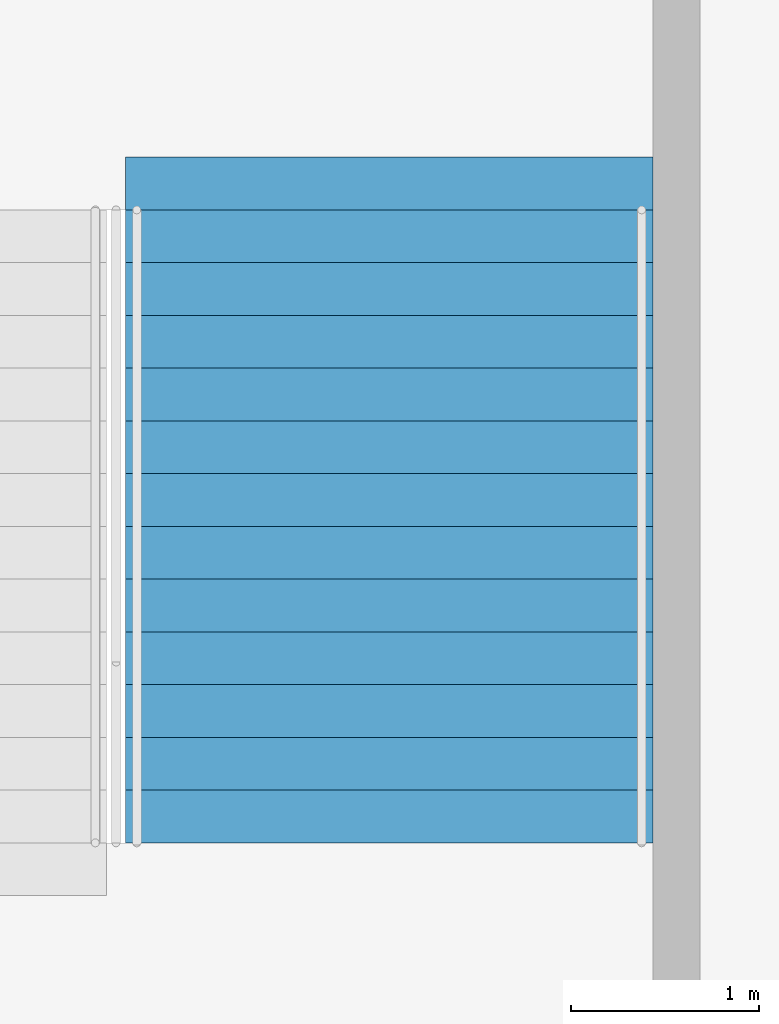
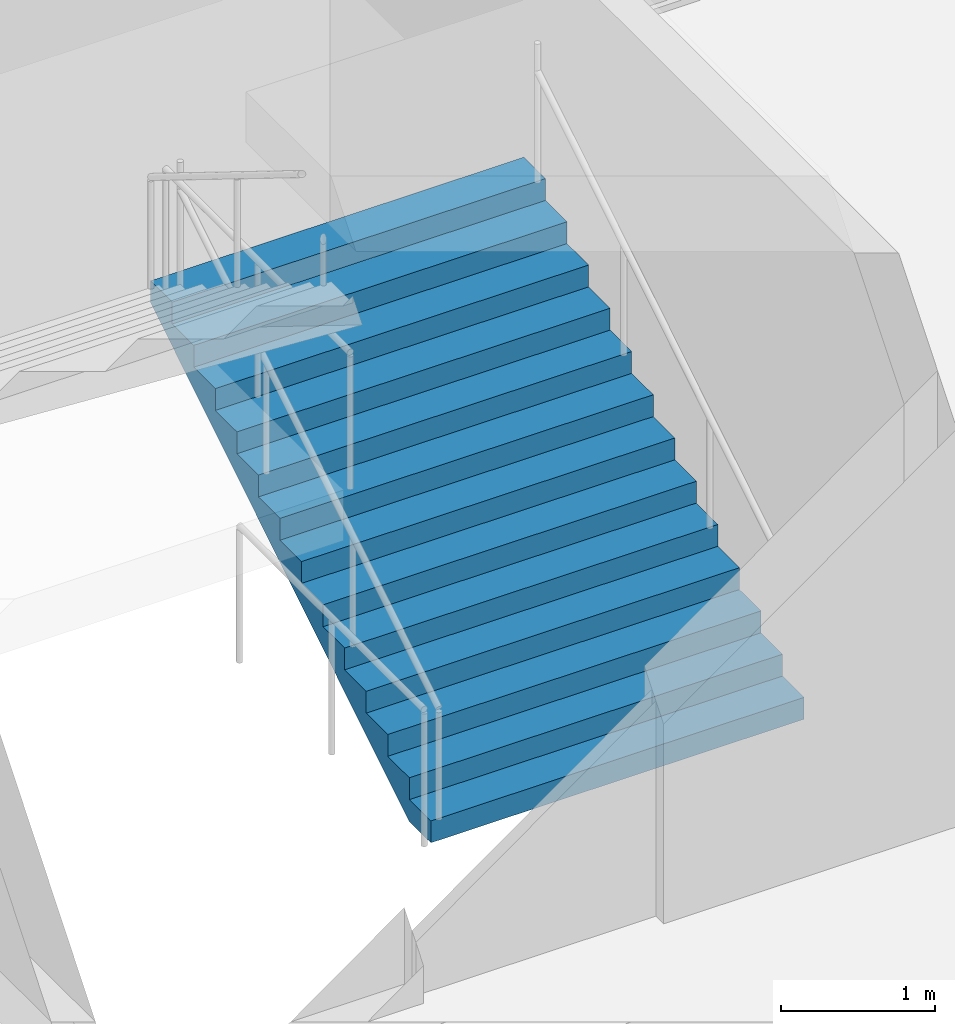
# One storey, part 162 of 199: 1 stair flight, 1 element without a shape of its own.
"""IFC4 building model written with IfcOpenShell, lengths in metres."""

from ifc_helpers import new_model, si_unit, direction, frame, origin, place, context, subcontext, project, spatial, faceted_brep, material, type_object, element, aggregate, save


model = new_model("IFC4")

# Units and contexts
model_context = context("Model", 3, precision=1e-05, world=origin(), true_north=direction((0.0, 1.0)))
body_context = subcontext(model_context, "Body", "Model", "MODEL_VIEW")
ifc_project = project(units=[si_unit("LENGTHUNIT", "METRE"), si_unit("AREAUNIT", "SQUARE_METRE"), si_unit("VOLUMEUNIT", "CUBIC_METRE"), si_unit("PLANEANGLEUNIT", "RADIAN"), si_unit("MASSUNIT", "GRAM", prefix="KILO")], contexts=[model_context])

# Site, building, storey
site_placement = place(None, origin())
site = spatial("IfcSite", under=ifc_project, at=site_placement, CompositionType="ELEMENT")
building_placement = place(site_placement, origin())
building = spatial("IfcBuilding", under=site, at=building_placement, Name="Ogive Plaza Stadium", CompositionType="ELEMENT")
storey_placement = place(building_placement, frame((0.0, 0.0, 9.0)))
storey = spatial("IfcBuildingStorey", under=building, at=storey_placement, Name="L02", CompositionType="ELEMENT", Elevation=9.0)

# Stair, stair flight
ifc_material_1 = material(Name="Concrete C40/50", Category="concrete")
stair_type = type_object("IfcStairType", Name="Exit stair", PredefinedType="STRAIGHT_RUN_STAIR", material=ifc_material_1)
stair_placement = place(storey_placement, origin())
stair = element("IfcStair", 1, at=stair_placement, inside=storey, type_object=stair_type, Name="Exit stair ST32A L02 to L03", PredefinedType="STRAIGHT_RUN_STAIR")
ifc_material_2 = material(Name="Concrete C40/50", Category="concrete")
stair_flight_type = type_object("IfcStairFlightType", Name="Exit stair flight", PredefinedType="STRAIGHT", material=ifc_material_2)
stair_flight_placement = place(storey_placement, frame((-29.574951171875, 94.85009765625, 0.0), z_axis=(0.0, 0.0, 1.0), x_axis=(0.0, 1.0, 0.0)))
stair_flight = element("IfcStairFlight", 2, at=stair_flight_placement, type_object=stair_flight_type, Name="ST32A flight 1", NumberOfRisers=13, NumberOfTreads=12, PredefinedType="STRAIGHT", RiserHeight=0.173076923, TreadLength=0.28, context=body_context, shape_type="Brep", body=[
    faceted_brep([(0.28515625, -1.39990234375, 0.0), (3.639892578125, -1.39990234375, 2.07373046875), (3.639892578125, -1.39990234375, 2.25), (3.360107421875, -1.39990234375, 2.25), (3.360107421875, -1.39990234375, 2.076904296875), (3.080078125, -1.39990234375, 2.076904296875), (3.080078125, -1.39990234375, 1.90380859375), (2.800048828125, -1.39990234375, 1.90380859375), (2.800048828125, -1.39990234375, 1.730712890625), (2.52001953125, -1.39990234375, 1.730712890625), (2.52001953125, -1.39990234375, 1.5576171875), (2.239990234375, -1.39990234375, 1.5576171875), (2.239990234375, -1.39990234375, 1.384521484375), (1.9599609375, -1.39990234375, 1.384521484375), (1.9599609375, -1.39990234375, 1.21142578125), (1.679931640625, -1.39990234375, 1.21142578125), (1.679931640625, -1.39990234375, 1.03857421875), (1.39990234375, -1.39990234375, 1.03857421875), (1.39990234375, -1.39990234375, 0.865478515625), (1.1201171875, -1.39990234375, 0.865478515625), (1.1201171875, -1.39990234375, 0.6923828125), (0.840087890625, -1.39990234375, 0.6923828125), (0.840087890625, -1.39990234375, 0.519287109375), (0.56005859375, -1.39990234375, 0.519287109375), (0.56005859375, -1.39990234375, 0.34619140625), (0.280029296875, -1.39990234375, 0.34619140625), (0.280029296875, -1.39990234375, 0.173095703125), (0.0, -1.39990234375, 0.173095703125), (0.0, -1.39990234375, 0.0), (0.0, 1.39990234375, 0.0), (0.0, 1.39990234375, 0.173095703125), (0.280029296875, 1.39990234375, 0.173095703125), (0.280029296875, 1.39990234375, 0.34619140625), (0.56005859375, 1.39990234375, 0.34619140625), (0.56005859375, 1.39990234375, 0.519287109375), (0.840087890625, 1.39990234375, 0.519287109375), (0.840087890625, 1.39990234375, 0.6923828125), (1.1201171875, 1.39990234375, 0.6923828125), (1.1201171875, 1.39990234375, 0.865478515625), (1.39990234375, 1.39990234375, 0.865478515625), (1.39990234375, 1.39990234375, 1.03857421875), (1.679931640625, 1.39990234375, 1.03857421875), (1.679931640625, 1.39990234375, 1.21142578125), (1.9599609375, 1.39990234375, 1.21142578125), (1.9599609375, 1.39990234375, 1.384521484375), (2.239990234375, 1.39990234375, 1.384521484375), (2.239990234375, 1.39990234375, 1.5576171875), (2.52001953125, 1.39990234375, 1.5576171875), (2.52001953125, 1.39990234375, 1.730712890625), (2.800048828125, 1.39990234375, 1.730712890625), (2.800048828125, 1.39990234375, 1.90380859375), (3.080078125, 1.39990234375, 1.90380859375), (3.080078125, 1.39990234375, 2.076904296875), (3.360107421875, 1.39990234375, 2.076904296875), (3.360107421875, 1.39990234375, 2.25), (3.639892578125, 1.39990234375, 2.25), (3.639892578125, 1.39990234375, 2.07373046875), (0.28515625, 1.39990234375, 0.0), (0.28515625, -1.0888671875, 0.0), (3.639892578125, -1.0888671875, 2.07373046875), (0.28515625, -0.77783203125, 0.0), (3.639892578125, -0.77783203125, 2.07373046875), (0.28515625, -0.466796875, 0.0), (3.639892578125, -0.466796875, 2.07373046875), (0.28515625, -0.155517578125, 0.0), (3.639892578125, -0.155517578125, 2.07373046875), (0.28515625, 0.155517578125, 0.0), (3.639892578125, 0.155517578125, 2.07373046875), (0.28515625, 0.466796875, 0.0), (3.639892578125, 0.466796875, 2.07373046875), (0.28515625, 0.77783203125, 0.0), (3.639892578125, 0.77783203125, 2.07373046875), (0.28515625, 1.0888671875, 0.0), (3.639892578125, 1.0888671875, 2.07373046875), (3.639892578125, -1.0888671875, 2.25), (3.639892578125, -0.77783203125, 2.25), (3.639892578125, -0.466796875, 2.25), (3.639892578125, -0.155517578125, 2.25), (3.639892578125, 0.155517578125, 2.25), (3.639892578125, 0.466796875, 2.25), (3.639892578125, 0.77783203125, 2.25), (3.639892578125, 1.0888671875, 2.25), (3.360107421875, -1.0888671875, 2.25), (3.360107421875, -0.77783203125, 2.25), (3.360107421875, -0.466796875, 2.25), (3.360107421875, -0.155517578125, 2.25), (3.360107421875, 0.155517578125, 2.25), (3.360107421875, 0.466796875, 2.25), (3.360107421875, 0.77783203125, 2.25), (3.360107421875, 1.0888671875, 2.25), (3.360107421875, -1.0888671875, 2.076904296875), (3.360107421875, -0.77783203125, 2.076904296875), (3.360107421875, -0.466796875, 2.076904296875), (3.360107421875, -0.155517578125, 2.076904296875), (3.360107421875, 0.155517578125, 2.076904296875), (3.360107421875, 0.466796875, 2.076904296875), (3.360107421875, 0.77783203125, 2.076904296875), (3.360107421875, 1.0888671875, 2.076904296875), (3.080078125, -1.0888671875, 2.076904296875), (3.080078125, -0.77783203125, 2.076904296875), (3.080078125, -0.466796875, 2.076904296875), (3.080078125, -0.155517578125, 2.076904296875), (3.080078125, 0.155517578125, 2.076904296875), (3.080078125, 0.466796875, 2.076904296875), (3.080078125, 0.77783203125, 2.076904296875), (3.080078125, 1.0888671875, 2.076904296875), (3.080078125, -1.0888671875, 1.90380859375), (3.080078125, -0.77783203125, 1.90380859375), (3.080078125, -0.466796875, 1.90380859375), (3.080078125, -0.155517578125, 1.90380859375), (3.080078125, 0.155517578125, 1.90380859375), (3.080078125, 0.466796875, 1.90380859375), (3.080078125, 0.77783203125, 1.90380859375), (3.080078125, 1.0888671875, 1.90380859375), (2.800048828125, -1.0888671875, 1.90380859375), (2.800048828125, -0.77783203125, 1.90380859375), (2.800048828125, -0.466796875, 1.90380859375), (2.800048828125, -0.155517578125, 1.90380859375), (2.800048828125, 0.155517578125, 1.90380859375), (2.800048828125, 0.466796875, 1.90380859375), (2.800048828125, 0.77783203125, 1.90380859375), (2.800048828125, 1.0888671875, 1.90380859375), (2.800048828125, -1.0888671875, 1.730712890625), (2.800048828125, -0.77783203125, 1.730712890625), (2.800048828125, -0.466796875, 1.730712890625), (2.800048828125, -0.155517578125, 1.730712890625), (2.800048828125, 0.155517578125, 1.730712890625), (2.800048828125, 0.466796875, 1.730712890625), (2.800048828125, 0.77783203125, 1.730712890625), (2.800048828125, 1.0888671875, 1.730712890625), (2.52001953125, -1.0888671875, 1.730712890625), (2.52001953125, -0.77783203125, 1.730712890625), (2.52001953125, -0.466796875, 1.730712890625), (2.52001953125, -0.155517578125, 1.730712890625), (2.52001953125, 0.155517578125, 1.730712890625), (2.52001953125, 0.466796875, 1.730712890625), (2.52001953125, 0.77783203125, 1.730712890625), (2.52001953125, 1.0888671875, 1.730712890625), (2.52001953125, -1.0888671875, 1.5576171875), (2.52001953125, -0.77783203125, 1.5576171875), (2.52001953125, -0.466796875, 1.5576171875), (2.52001953125, -0.155517578125, 1.5576171875), (2.52001953125, 0.155517578125, 1.5576171875), (2.52001953125, 0.466796875, 1.5576171875), (2.52001953125, 0.77783203125, 1.5576171875), (2.52001953125, 1.0888671875, 1.5576171875), (2.239990234375, -1.0888671875, 1.5576171875), (2.239990234375, -0.77783203125, 1.5576171875), (2.239990234375, -0.466796875, 1.5576171875), (2.239990234375, -0.155517578125, 1.5576171875), (2.239990234375, 0.155517578125, 1.5576171875), (2.239990234375, 0.466796875, 1.5576171875), (2.239990234375, 0.77783203125, 1.5576171875), (2.239990234375, 1.0888671875, 1.5576171875), (2.239990234375, -1.0888671875, 1.384521484375), (2.239990234375, -0.77783203125, 1.384521484375), (2.239990234375, -0.466796875, 1.384521484375), (2.239990234375, -0.155517578125, 1.384521484375), (2.239990234375, 0.155517578125, 1.384521484375), (2.239990234375, 0.466796875, 1.384521484375), (2.239990234375, 0.77783203125, 1.384521484375), (2.239990234375, 1.0888671875, 1.384521484375), (1.9599609375, -1.0888671875, 1.384521484375), (1.9599609375, -0.77783203125, 1.384521484375), (1.9599609375, -0.466796875, 1.384521484375), (1.9599609375, -0.155517578125, 1.384521484375), (1.9599609375, 0.155517578125, 1.384521484375), (1.9599609375, 0.466796875, 1.384521484375), (1.9599609375, 0.77783203125, 1.384521484375), (1.9599609375, 1.0888671875, 1.384521484375), (1.9599609375, -1.0888671875, 1.21142578125), (1.9599609375, -0.77783203125, 1.21142578125), (1.9599609375, -0.466796875, 1.21142578125), (1.9599609375, -0.155517578125, 1.21142578125), (1.9599609375, 0.155517578125, 1.21142578125), (1.9599609375, 0.466796875, 1.21142578125), (1.9599609375, 0.77783203125, 1.21142578125), (1.9599609375, 1.0888671875, 1.21142578125), (1.679931640625, -1.0888671875, 1.21142578125), (1.679931640625, -0.77783203125, 1.21142578125), (1.679931640625, -0.466796875, 1.21142578125), (1.679931640625, -0.155517578125, 1.21142578125), (1.679931640625, 0.155517578125, 1.21142578125), (1.679931640625, 0.466796875, 1.21142578125), (1.679931640625, 0.77783203125, 1.21142578125), (1.679931640625, 1.0888671875, 1.21142578125), (1.679931640625, -1.0888671875, 1.03857421875), (1.679931640625, -0.77783203125, 1.03857421875), (1.679931640625, -0.466796875, 1.03857421875), (1.679931640625, -0.155517578125, 1.03857421875), (1.679931640625, 0.155517578125, 1.03857421875), (1.679931640625, 0.466796875, 1.03857421875), (1.679931640625, 0.77783203125, 1.03857421875), (1.679931640625, 1.0888671875, 1.03857421875), (1.39990234375, -1.0888671875, 1.03857421875), (1.39990234375, -0.77783203125, 1.03857421875), (1.39990234375, -0.466796875, 1.03857421875), (1.39990234375, -0.155517578125, 1.03857421875), (1.39990234375, 0.155517578125, 1.03857421875), (1.39990234375, 0.466796875, 1.03857421875), (1.39990234375, 0.77783203125, 1.03857421875), (1.39990234375, 1.0888671875, 1.03857421875), (1.39990234375, -1.0888671875, 0.865478515625), (1.39990234375, -0.77783203125, 0.865478515625), (1.39990234375, -0.466796875, 0.865478515625), (1.39990234375, -0.155517578125, 0.865478515625), (1.39990234375, 0.155517578125, 0.865478515625), (1.39990234375, 0.466796875, 0.865478515625), (1.39990234375, 0.77783203125, 0.865478515625), (1.39990234375, 1.0888671875, 0.865478515625), (1.1201171875, -1.0888671875, 0.865478515625), (1.1201171875, -0.77783203125, 0.865478515625), (1.1201171875, -0.466796875, 0.865478515625), (1.1201171875, -0.155517578125, 0.865478515625), (1.1201171875, 0.155517578125, 0.865478515625), (1.1201171875, 0.466796875, 0.865478515625), (1.1201171875, 0.77783203125, 0.865478515625), (1.1201171875, 1.0888671875, 0.865478515625), (1.1201171875, -1.0888671875, 0.6923828125), (1.1201171875, -0.77783203125, 0.6923828125), (1.1201171875, -0.466796875, 0.6923828125), (1.1201171875, -0.155517578125, 0.6923828125), (1.1201171875, 0.155517578125, 0.6923828125), (1.1201171875, 0.466796875, 0.6923828125), (1.1201171875, 0.77783203125, 0.6923828125), (1.1201171875, 1.0888671875, 0.6923828125), (0.840087890625, -1.0888671875, 0.6923828125), (0.840087890625, -0.77783203125, 0.6923828125), (0.840087890625, -0.466796875, 0.6923828125), (0.840087890625, -0.155517578125, 0.6923828125), (0.840087890625, 0.155517578125, 0.6923828125), (0.840087890625, 0.466796875, 0.6923828125), (0.840087890625, 0.77783203125, 0.6923828125), (0.840087890625, 1.0888671875, 0.6923828125), (0.840087890625, -1.0888671875, 0.519287109375), (0.840087890625, -0.77783203125, 0.519287109375), (0.840087890625, -0.466796875, 0.519287109375), (0.840087890625, -0.155517578125, 0.519287109375), (0.840087890625, 0.155517578125, 0.519287109375), (0.840087890625, 0.466796875, 0.519287109375), (0.840087890625, 0.77783203125, 0.519287109375), (0.840087890625, 1.0888671875, 0.519287109375), (0.56005859375, -1.0888671875, 0.519287109375), (0.56005859375, -0.77783203125, 0.519287109375), (0.56005859375, -0.466796875, 0.519287109375), (0.56005859375, -0.155517578125, 0.519287109375), (0.56005859375, 0.155517578125, 0.519287109375), (0.56005859375, 0.466796875, 0.519287109375), (0.56005859375, 0.77783203125, 0.519287109375), (0.56005859375, 1.0888671875, 0.519287109375), (0.56005859375, -1.0888671875, 0.34619140625), (0.56005859375, -0.77783203125, 0.34619140625), (0.56005859375, -0.466796875, 0.34619140625), (0.56005859375, -0.155517578125, 0.34619140625), (0.56005859375, 0.155517578125, 0.34619140625), (0.56005859375, 0.466796875, 0.34619140625), (0.56005859375, 0.77783203125, 0.34619140625), (0.56005859375, 1.0888671875, 0.34619140625), (0.280029296875, -1.0888671875, 0.34619140625), (0.280029296875, -0.77783203125, 0.34619140625), (0.280029296875, -0.466796875, 0.34619140625), (0.280029296875, -0.155517578125, 0.34619140625), (0.280029296875, 0.155517578125, 0.34619140625), (0.280029296875, 0.466796875, 0.34619140625), (0.280029296875, 0.77783203125, 0.34619140625), (0.280029296875, 1.0888671875, 0.34619140625), (0.280029296875, -1.0888671875, 0.173095703125), (0.280029296875, -0.77783203125, 0.173095703125), (0.280029296875, -0.466796875, 0.173095703125), (0.280029296875, -0.155517578125, 0.173095703125), (0.280029296875, 0.155517578125, 0.173095703125), (0.280029296875, 0.466796875, 0.173095703125), (0.280029296875, 0.77783203125, 0.173095703125), (0.280029296875, 1.0888671875, 0.173095703125), (0.0, -1.0888671875, 0.173095703125), (0.0, -0.77783203125, 0.173095703125), (0.0, -0.466796875, 0.173095703125), (0.0, -0.155517578125, 0.173095703125), (0.0, 0.155517578125, 0.173095703125), (0.0, 0.466796875, 0.173095703125), (0.0, 0.77783203125, 0.173095703125), (0.0, 1.0888671875, 0.173095703125), (0.0, -1.0888671875, 0.0), (0.0, -0.77783203125, 0.0), (0.0, -0.466796875, 0.0), (0.0, -0.155517578125, 0.0), (0.0, 0.155517578125, 0.0), (0.0, 0.466796875, 0.0), (0.0, 0.77783203125, 0.0), (0.0, 1.0888671875, 0.0)], [[[0, 1, 2, 3, 4, 5, 6, 7, 8, 9, 10, 11, 12, 13, 14, 15, 16, 17, 18, 19, 20, 21, 22, 23, 24, 25, 26, 27, 28]], [[29, 30, 31, 32, 33, 34, 35, 36, 37, 38, 39, 40, 41, 42, 43, 44, 45, 46, 47, 48, 49, 50, 51, 52, 53, 54, 55, 56, 57]], [[0, 58, 59, 1]], [[58, 60, 61, 59]], [[60, 62, 63, 61]], [[62, 64, 65, 63]], [[64, 66, 67, 65]], [[66, 68, 69, 67]], [[68, 70, 71, 69]], [[70, 72, 73, 71]], [[72, 57, 56, 73]], [[1, 59, 74, 2]], [[59, 61, 75, 74]], [[61, 63, 76, 75]], [[63, 65, 77, 76]], [[65, 67, 78, 77]], [[67, 69, 79, 78]], [[69, 71, 80, 79]], [[71, 73, 81, 80]], [[73, 56, 55, 81]], [[2, 74, 82, 3]], [[74, 75, 83, 82]], [[75, 76, 84, 83]], [[76, 77, 85, 84]], [[77, 78, 86, 85]], [[78, 79, 87, 86]], [[79, 80, 88, 87]], [[80, 81, 89, 88]], [[81, 55, 54, 89]], [[3, 82, 90, 4]], [[82, 83, 91, 90]], [[83, 84, 92, 91]], [[84, 85, 93, 92]], [[85, 86, 94, 93]], [[86, 87, 95, 94]], [[87, 88, 96, 95]], [[88, 89, 97, 96]], [[89, 54, 53, 97]], [[4, 90, 98, 5]], [[90, 91, 99, 98]], [[91, 92, 100, 99]], [[92, 93, 101, 100]], [[93, 94, 102, 101]], [[94, 95, 103, 102]], [[95, 96, 104, 103]], [[96, 97, 105, 104]], [[97, 53, 52, 105]], [[5, 98, 106, 6]], [[98, 99, 107, 106]], [[99, 100, 108, 107]], [[100, 101, 109, 108]], [[101, 102, 110, 109]], [[102, 103, 111, 110]], [[103, 104, 112, 111]], [[104, 105, 113, 112]], [[105, 52, 51, 113]], [[6, 106, 114, 7]], [[106, 107, 115, 114]], [[107, 108, 116, 115]], [[108, 109, 117, 116]], [[109, 110, 118, 117]], [[110, 111, 119, 118]], [[111, 112, 120, 119]], [[112, 113, 121, 120]], [[113, 51, 50, 121]], [[7, 114, 122, 8]], [[114, 115, 123, 122]], [[115, 116, 124, 123]], [[116, 117, 125, 124]], [[117, 118, 126, 125]], [[118, 119, 127, 126]], [[119, 120, 128, 127]], [[120, 121, 129, 128]], [[121, 50, 49, 129]], [[8, 122, 130, 9]], [[122, 123, 131, 130]], [[123, 124, 132, 131]], [[124, 125, 133, 132]], [[125, 126, 134, 133]], [[126, 127, 135, 134]], [[127, 128, 136, 135]], [[128, 129, 137, 136]], [[129, 49, 48, 137]], [[9, 130, 138, 10]], [[130, 131, 139, 138]], [[131, 132, 140, 139]], [[132, 133, 141, 140]], [[133, 134, 142, 141]], [[134, 135, 143, 142]], [[135, 136, 144, 143]], [[136, 137, 145, 144]], [[137, 48, 47, 145]], [[10, 138, 146, 11]], [[138, 139, 147, 146]], [[139, 140, 148, 147]], [[140, 141, 149, 148]], [[141, 142, 150, 149]], [[142, 143, 151, 150]], [[143, 144, 152, 151]], [[144, 145, 153, 152]], [[145, 47, 46, 153]], [[11, 146, 154, 12]], [[146, 147, 155, 154]], [[147, 148, 156, 155]], [[148, 149, 157, 156]], [[149, 150, 158, 157]], [[150, 151, 159, 158]], [[151, 152, 160, 159]], [[152, 153, 161, 160]], [[153, 46, 45, 161]], [[12, 154, 162, 13]], [[154, 155, 163, 162]], [[155, 156, 164, 163]], [[156, 157, 165, 164]], [[157, 158, 166, 165]], [[158, 159, 167, 166]], [[159, 160, 168, 167]], [[160, 161, 169, 168]], [[161, 45, 44, 169]], [[13, 162, 170, 14]], [[162, 163, 171, 170]], [[163, 164, 172, 171]], [[164, 165, 173, 172]], [[165, 166, 174, 173]], [[166, 167, 175, 174]], [[167, 168, 176, 175]], [[168, 169, 177, 176]], [[169, 44, 43, 177]], [[14, 170, 178, 15]], [[170, 171, 179, 178]], [[171, 172, 180, 179]], [[172, 173, 181, 180]], [[173, 174, 182, 181]], [[174, 175, 183, 182]], [[175, 176, 184, 183]], [[176, 177, 185, 184]], [[177, 43, 42, 185]], [[15, 178, 186, 16]], [[178, 179, 187, 186]], [[179, 180, 188, 187]], [[180, 181, 189, 188]], [[181, 182, 190, 189]], [[182, 183, 191, 190]], [[183, 184, 192, 191]], [[184, 185, 193, 192]], [[185, 42, 41, 193]], [[16, 186, 194, 17]], [[186, 187, 195, 194]], [[187, 188, 196, 195]], [[188, 189, 197, 196]], [[189, 190, 198, 197]], [[190, 191, 199, 198]], [[191, 192, 200, 199]], [[192, 193, 201, 200]], [[193, 41, 40, 201]], [[17, 194, 202, 18]], [[194, 195, 203, 202]], [[195, 196, 204, 203]], [[196, 197, 205, 204]], [[197, 198, 206, 205]], [[198, 199, 207, 206]], [[199, 200, 208, 207]], [[200, 201, 209, 208]], [[201, 40, 39, 209]], [[18, 202, 210, 19]], [[202, 203, 211, 210]], [[203, 204, 212, 211]], [[204, 205, 213, 212]], [[205, 206, 214, 213]], [[206, 207, 215, 214]], [[207, 208, 216, 215]], [[208, 209, 217, 216]], [[209, 39, 38, 217]], [[19, 210, 218, 20]], [[210, 211, 219, 218]], [[211, 212, 220, 219]], [[212, 213, 221, 220]], [[213, 214, 222, 221]], [[214, 215, 223, 222]], [[215, 216, 224, 223]], [[216, 217, 225, 224]], [[217, 38, 37, 225]], [[20, 218, 226, 21]], [[218, 219, 227, 226]], [[219, 220, 228, 227]], [[220, 221, 229, 228]], [[221, 222, 230, 229]], [[222, 223, 231, 230]], [[223, 224, 232, 231]], [[224, 225, 233, 232]], [[225, 37, 36, 233]], [[21, 226, 234, 22]], [[226, 227, 235, 234]], [[227, 228, 236, 235]], [[228, 229, 237, 236]], [[229, 230, 238, 237]], [[230, 231, 239, 238]], [[231, 232, 240, 239]], [[232, 233, 241, 240]], [[233, 36, 35, 241]], [[22, 234, 242, 23]], [[234, 235, 243, 242]], [[235, 236, 244, 243]], [[236, 237, 245, 244]], [[237, 238, 246, 245]], [[238, 239, 247, 246]], [[239, 240, 248, 247]], [[240, 241, 249, 248]], [[241, 35, 34, 249]], [[23, 242, 250, 24]], [[242, 243, 251, 250]], [[243, 244, 252, 251]], [[244, 245, 253, 252]], [[245, 246, 254, 253]], [[246, 247, 255, 254]], [[247, 248, 256, 255]], [[248, 249, 257, 256]], [[249, 34, 33, 257]], [[24, 250, 258, 25]], [[250, 251, 259, 258]], [[251, 252, 260, 259]], [[252, 253, 261, 260]], [[253, 254, 262, 261]], [[254, 255, 263, 262]], [[255, 256, 264, 263]], [[256, 257, 265, 264]], [[257, 33, 32, 265]], [[25, 258, 266, 26]], [[258, 259, 267, 266]], [[259, 260, 268, 267]], [[260, 261, 269, 268]], [[261, 262, 270, 269]], [[262, 263, 271, 270]], [[263, 264, 272, 271]], [[264, 265, 273, 272]], [[265, 32, 31, 273]], [[26, 266, 274, 27]], [[266, 267, 275, 274]], [[267, 268, 276, 275]], [[268, 269, 277, 276]], [[269, 270, 278, 277]], [[270, 271, 279, 278]], [[271, 272, 280, 279]], [[272, 273, 281, 280]], [[273, 31, 30, 281]], [[27, 274, 282, 28]], [[274, 275, 283, 282]], [[275, 276, 284, 283]], [[276, 277, 285, 284]], [[277, 278, 286, 285]], [[278, 279, 287, 286]], [[279, 280, 288, 287]], [[280, 281, 289, 288]], [[281, 30, 29, 289]], [[28, 282, 58, 0]], [[282, 283, 60, 58]], [[283, 284, 62, 60]], [[284, 285, 64, 62]], [[285, 286, 66, 64]], [[286, 287, 68, 66]], [[287, 288, 70, 68]], [[288, 289, 72, 70]], [[289, 29, 57, 72]]]),
])
aggregate(stair, [stair_flight])

save(model, "model.ifc")
